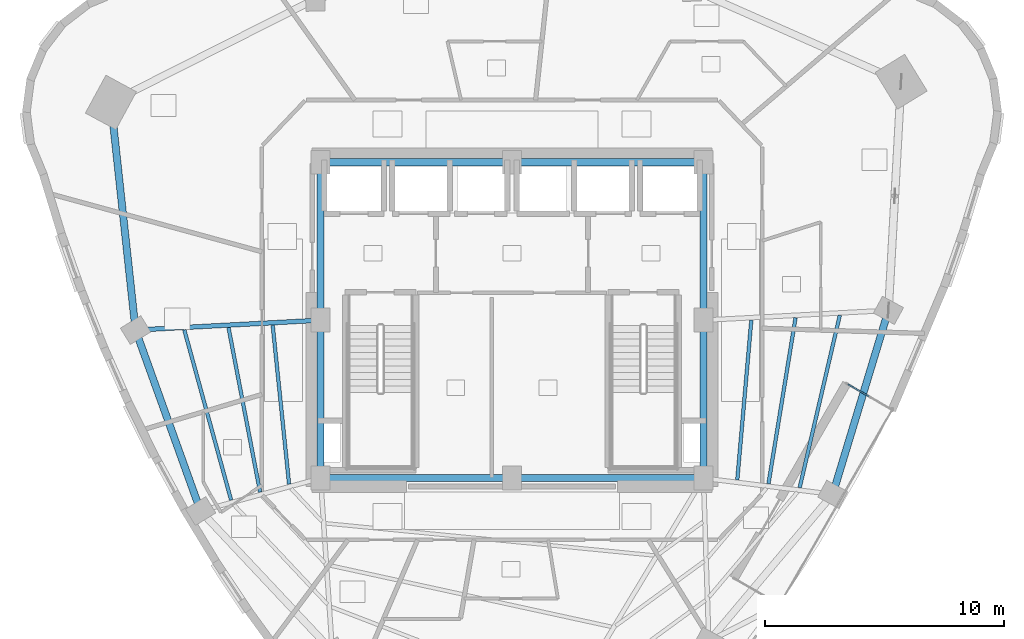
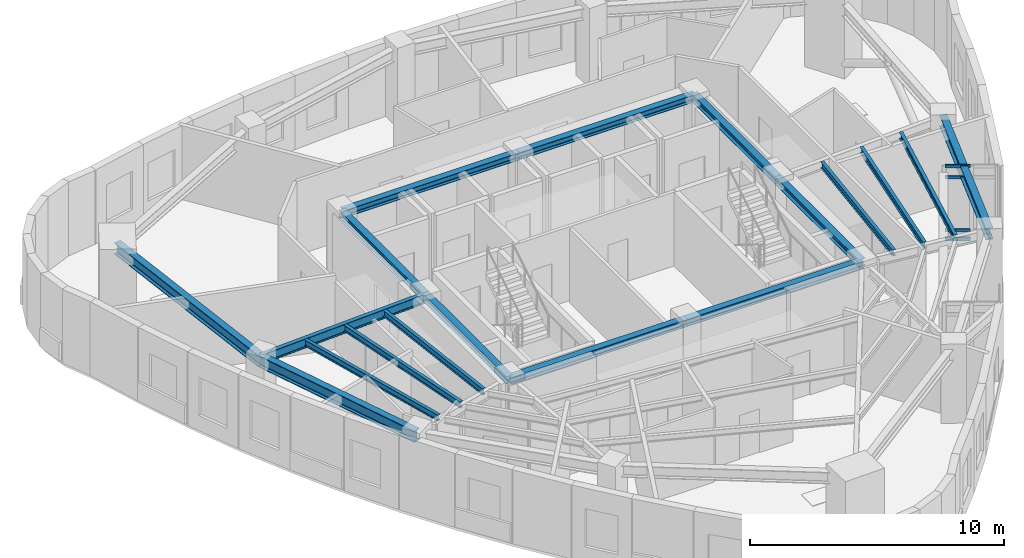
# One storey, part 3 of 12: 18 beams, 4 members, 1 element without a shape of its own.
"""IFC4 building model written with IfcOpenShell, lengths in metres."""

from ifc_helpers import new_model, si_unit, direction, frame, origin, origin_2d, place, context, subcontext, project, spatial, hollow_rectangle, i_section, extrude, material, layer, layer_set, material_profile, profile_set, type_object, element, aggregate, save


model = new_model("IFC4")

# Units and contexts
model_context = context("Model", 3, precision=1e-05, world=origin(), true_north=direction((0.0, 1.0)))
body_context = subcontext(model_context, "Body", "Model", "MODEL_VIEW")
ifc_project = project(units=[si_unit("LENGTHUNIT", "METRE"), si_unit("AREAUNIT", "SQUARE_METRE"), si_unit("VOLUMEUNIT", "CUBIC_METRE"), si_unit("PLANEANGLEUNIT", "RADIAN"), si_unit("MASSUNIT", "GRAM", prefix="KILO")], contexts=[model_context])

# Site, building, storey
site_placement = place(None, origin())
site = spatial("IfcSite", under=ifc_project, at=site_placement, CompositionType="ELEMENT")
building_placement = place(site_placement, origin())
building = spatial("IfcBuilding", under=site, at=building_placement, Name="Ndelora Gate Hotel", CompositionType="ELEMENT")
storey_placement = place(building_placement, frame((0.0, 0.0, 205.550048828125)))
storey = spatial("IfcBuildingStorey", under=building, at=storey_placement, Name="L51", CompositionType="ELEMENT", Elevation=205.550048828125)

# Beams
ifc_material_1 = material(Name="Steel S355", Category="steel")
ifc_material_profile_1 = material_profile(ifc_material_1, i_section(OverallWidth=0.300048828125, OverallDepth=0.35009765625, WebThickness=0.010009765625, FlangeThickness=0.017578125, FilletRadius=0.027099609375, at=origin_2d()), Name="HEA 360")
ifc_profile_set_1 = profile_set([ifc_material_profile_1], Name="Steel S355")
beam_type_1 = type_object("IfcBeamType", Name="BM-CORE-350", PredefinedType="BEAM", material=ifc_profile_set_1)
for number, where, z_axis, x_axis, name in (
    (1, (-8.0, 6.60009765625, 3.375), (1.0, 0.0, 0.0), (0.0, 1.0, 0.0), "L51 Core Tie Girder CC7-CC6"),
    (2, (0.0, 6.60009765625, 3.375), (1.0, 0.0, 0.0), (0.0, 1.0, 0.0), "L51 Core Tie Girder CC6-CC5"),
):
    element("IfcBeam", number, at=place(storey_placement, frame(where, z_axis=z_axis, x_axis=x_axis)), inside=storey, type_object=beam_type_1, Name=name, PredefinedType="BEAM", context=body_context, shape_type="SweptSolid", body=[
        extrude(i_section(OverallWidth=0.300048828125, OverallDepth=0.35009765625, WebThickness=0.010009765625, FlangeThickness=0.017578125, FilletRadius=0.027099609375, at=origin_2d()), origin(), (0.0, 0.0, 1.0), 8.0),
    ])
for number, where, z_axis, x_axis, name in (
    (3, (-8.0, -6.60009765625, 3.375), (0.0, 1.0, 0.0), (-1.0, 0.0, 0.0), "L51 Core Tie Girder CC1-CC8"),
    (4, (-8.0, 0.0, 3.375), (0.0, 1.0, 0.0), (-1.0, 0.0, 0.0), "L51 Core Tie Girder CC8-CC7"),
    (5, (8.0, -6.60009765625, 3.375), (0.0, 1.0, 0.0), (-1.0, 0.0, 0.0), "L51 Core Tie Girder CC3-CC4"),
    (6, (8.0, 0.0, 3.375), (0.0, 1.0, 0.0), (-1.0, 0.0, 0.0), "L51 Core Tie Girder CC4-CC5"),
):
    element("IfcBeam", number, at=place(storey_placement, frame(where, z_axis=z_axis, x_axis=x_axis)), inside=storey, type_object=beam_type_1, Name=name, PredefinedType="BEAM", context=body_context, shape_type="SweptSolid", body=[
        extrude(i_section(OverallWidth=0.300048828125, OverallDepth=0.35009765625, WebThickness=0.010009765625, FlangeThickness=0.017578125, FilletRadius=0.027099609375, at=origin_2d()), origin(), (0.0, 0.0, 1.0), 6.60009765625),
    ])
for number, where, z_axis, x_axis, name in (
    (7, (-8.0, -6.60009765625, 3.375), (1.0, 0.0, 0.0), (0.0, 1.0, 0.0), "L51 Core Tie Girder CC1-CC2"),
    (8, (0.0, -6.60009765625, 3.375), (1.0, 0.0, 0.0), (0.0, 1.0, 0.0), "L51 Core Tie Girder CC2-CC3"),
):
    element("IfcBeam", number, at=place(storey_placement, frame(where, z_axis=z_axis, x_axis=x_axis)), inside=storey, type_object=beam_type_1, Name=name, PredefinedType="BEAM", context=body_context, shape_type="SweptSolid", body=[
        extrude(i_section(OverallWidth=0.300048828125, OverallDepth=0.35009765625, WebThickness=0.010009765625, FlangeThickness=0.017578125, FilletRadius=0.027099609375, at=origin_2d()), origin(), (0.0, 0.0, 1.0), 8.0),
    ])
ifc_material_profile_2 = material_profile(ifc_material_1, i_section(OverallWidth=0.14990234375, OverallDepth=0.300048828125, WebThickness=0.007080078125, FlangeThickness=0.0107421875, FilletRadius=0.014892578125, at=origin_2d()), Name="IPE 300")
ifc_profile_set_2 = profile_set([ifc_material_profile_2], Name="Steel S355")
beam_type_2 = type_object("IfcBeamType", Name="BM-JST-300", PredefinedType="JOIST", material=ifc_profile_set_2)
beam_1_placement = place(storey_placement, frame((-9.9990234375, -0.21142578125, 3.39990234375), z_axis=(0.10260596827, -0.994722079415, 0.0), x_axis=(0.994722079415, 0.10260596827, 0.0)))
element("IfcBeam", 9, at=beam_1_placement, inside=storey, type_object=beam_type_2, Name="L51 Secondary Composite Floor Joist IN-2", PredefinedType="JOIST", context=body_context, shape_type="SweptSolid", body=[
    extrude(i_section(OverallWidth=0.14990234375, OverallDepth=0.300048828125, WebThickness=0.007080078125, FlangeThickness=0.0107421875, FilletRadius=0.014892578125, at=origin_2d()), origin(), (0.0, 0.0, 1.0), 6.676513671875),
])
beam_2_placement = place(storey_placement, frame((-11.84521484375, -0.30908203125, 3.39990234375), z_axis=(0.188470955684, -0.982078764083, 0.0), x_axis=(0.982078764083, 0.188470955684, 0.0)))
element("IfcBeam", 10, at=beam_2_placement, inside=storey, type_object=beam_type_2, Name="L51 Secondary Composite Floor Joist MID-2", PredefinedType="JOIST", context=body_context, shape_type="SweptSolid", body=[
    extrude(i_section(OverallWidth=0.14990234375, OverallDepth=0.300048828125, WebThickness=0.007080078125, FlangeThickness=0.0107421875, FilletRadius=0.014892578125, at=origin_2d()), origin(), (0.0, 0.0, 1.0), 7.000244140625),
])
beam_3_placement = place(storey_placement, frame((-13.6923828125, -0.406005859375, 3.39990234375), z_axis=(0.2652180483, -0.964188460238, 0.0), x_axis=(0.964188460238, 0.2652180483, 0.0)))
element("IfcBeam", 11, at=beam_3_placement, inside=storey, type_object=beam_type_2, Name="L51 Secondary Composite Floor Joist OUT-2", PredefinedType="JOIST", context=body_context, shape_type="SweptSolid", body=[
    extrude(i_section(OverallWidth=0.14990234375, OverallDepth=0.300048828125, WebThickness=0.007080078125, FlangeThickness=0.0107421875, FilletRadius=0.014892578125, at=origin_2d()), origin(), (0.0, 0.0, 1.0), 7.37353515625),
])
beam_4_placement = place(storey_placement, frame((9.413330078125, -6.671142578125, 3.39990234375), z_axis=(0.087643872384, 0.996151871771, 0.0), x_axis=(-0.996151871771, 0.087643872384, 0.0)))
element("IfcBeam", 12, at=beam_4_placement, inside=storey, type_object=beam_type_2, Name="L51 Secondary Composite Floor Joist IN-7", PredefinedType="JOIST", context=body_context, shape_type="SweptSolid", body=[
    extrude(i_section(OverallWidth=0.14990234375, OverallDepth=0.300048828125, WebThickness=0.007080078125, FlangeThickness=0.0107421875, FilletRadius=0.014892578125, at=origin_2d()), origin(), (0.0, 0.0, 1.0), 6.699462890625),
])
beam_5_placement = place(storey_placement, frame((10.717041015625, -6.834228515625, 3.39990234375), z_axis=(0.160939239626, 0.986964316046, 0.0), x_axis=(-0.986964316046, 0.160939239626, 0.0)))
element("IfcBeam", 13, at=beam_5_placement, inside=storey, type_object=beam_type_2, Name="L51 Secondary Composite Floor Joist MID-7", PredefinedType="JOIST", context=body_context, shape_type="SweptSolid", body=[
    extrude(i_section(OverallWidth=0.14990234375, OverallDepth=0.300048828125, WebThickness=0.007080078125, FlangeThickness=0.0107421875, FilletRadius=0.014892578125, at=origin_2d()), origin(), (0.0, 0.0, 1.0), 7.028076171875),
])
beam_6_placement = place(storey_placement, frame((12.02001953125, -6.997802734375, 3.39990234375), z_axis=(0.22674518397, 0.973954116756, 0.0), x_axis=(-0.973954116756, 0.22674518397, 0.0)))
element("IfcBeam", 14, at=beam_6_placement, inside=storey, type_object=beam_type_2, Name="L51 Secondary Composite Floor Joist OUT-7", PredefinedType="JOIST", context=body_context, shape_type="SweptSolid", body=[
    extrude(i_section(OverallWidth=0.14990234375, OverallDepth=0.300048828125, WebThickness=0.007080078125, FlangeThickness=0.0107421875, FilletRadius=0.014892578125, at=origin_2d()), origin(), (0.0, 0.0, 1.0), 7.392822265625),
])
ifc_material_profile_3 = material_profile(ifc_material_1, i_section(OverallWidth=0.18994140625, OverallDepth=0.449951171875, WebThickness=0.009521484375, FlangeThickness=0.0146484375, FilletRadius=0.02099609375, at=origin_2d()), Name="IPE 450")
ifc_profile_set_3 = profile_set([ifc_material_profile_3], Name="Steel S355")
beam_type_3 = type_object("IfcBeamType", Name="BM-RAD-450", PredefinedType="BEAM", material=ifc_profile_set_3)
beam_7_placement = place(storey_placement, frame((-8.0, 0.0, 3.324951171875), z_axis=(-0.998583554121, -0.053206065814, 0.0), x_axis=(0.053206065814, -0.998583554121, 0.0)))
element("IfcBeam", 15, at=beam_7_placement, inside=storey, type_object=beam_type_3, Name="L51 Radial Floor Girder 2", PredefinedType="BEAM", context=body_context, shape_type="SweptSolid", body=[
    extrude(i_section(OverallWidth=0.18994140625, OverallDepth=0.449951171875, WebThickness=0.009521484375, FlangeThickness=0.0146484375, FilletRadius=0.02099609375, at=origin_2d()), origin(), (0.0, 0.0, 1.0), 7.740966796875),
])
ifc_material_profile_4 = material_profile(ifc_material_1, i_section(OverallWidth=0.300048828125, OverallDepth=0.550048828125, WebThickness=0.014892578125, FlangeThickness=0.029052734375, FilletRadius=0.027099609375, at=origin_2d()), Name="HEB 550")
ifc_profile_set_4 = profile_set([ifc_material_profile_4], Name="Steel S355")
beam_type_4 = type_object("IfcBeamType", Name="BM-RING-550", PredefinedType="SPANDREL", material=ifc_profile_set_4)
beam_8_placement = place(storey_placement, frame((-16.759521484375, 9.099609375, 3.27490234375), z_axis=(0.107613416645, -0.994192814578, 0.0), x_axis=(0.994192814578, 0.107613416645, 0.0)))
element("IfcBeam", 16, at=beam_8_placement, inside=storey, type_object=beam_type_4, Name="L51 Perimeter Spandrel Girder 1", PredefinedType="SPANDREL", context=body_context, shape_type="SweptSolid", body=[
    extrude(i_section(OverallWidth=0.300048828125, OverallDepth=0.550048828125, WebThickness=0.014892578125, FlangeThickness=0.029052734375, FilletRadius=0.027099609375, at=origin_2d()), origin(), (0.0, 0.0, 1.0), 9.567138671875),
])
beam_9_placement = place(storey_placement, frame((-15.72998046875, -0.411865234375, 3.27490234375), z_axis=(0.338244972382, -0.941058095262, 0.0), x_axis=(0.941058095262, 0.338244972382, 0.0)))
element("IfcBeam", 17, at=beam_9_placement, inside=storey, type_object=beam_type_4, Name="L51 Perimeter Spandrel Girder 2", PredefinedType="SPANDREL", context=body_context, shape_type="SweptSolid", body=[
    extrude(i_section(OverallWidth=0.300048828125, OverallDepth=0.550048828125, WebThickness=0.014892578125, FlangeThickness=0.029052734375, FilletRadius=0.027099609375, at=origin_2d()), origin(), (0.0, 0.0, 1.0), 8.03564453125),
])
beam_10_placement = place(storey_placement, frame((13.400390625, -7.275634765625, 3.27490234375), z_axis=(0.290012456561, 0.957022870698, 0.0), x_axis=(-0.957022870698, 0.290012456561, 0.0)))
element("IfcBeam", 18, at=beam_10_placement, inside=storey, type_object=beam_type_4, Name="L51 Perimeter Spandrel Girder 7", PredefinedType="SPANDREL", context=body_context, shape_type="SweptSolid", body=[
    extrude(i_section(OverallWidth=0.300048828125, OverallDepth=0.550048828125, WebThickness=0.014892578125, FlangeThickness=0.029052734375, FilletRadius=0.027099609375, at=origin_2d()), origin(), (0.0, 0.0, 1.0), 8.03271484375),
])

# Curtain wall, members
ifc_material_2 = material(Name="Bronze Anodised Unitised Aluminium and Low-E Glass", Category="aluminium")
ifc_layer = layer(ifc_material_2, 0.199951171875)
ifc_layer_set = layer_set([ifc_layer], Name="Bronze Anodised Unitised Aluminium and Low-E Glass")
curtain_wall_type = type_object("IfcCurtainWallType", Name="CW-SYS-3", PredefinedType="NOTDEFINED", material=ifc_layer_set)
curtain_wall_placement = place(storey_placement, origin())
curtain_wall = element("IfcCurtainWall", 19, at=curtain_wall_placement, inside=storey, type_object=curtain_wall_type, Name="L51 Sky-Garden Loggia Side Curtain Wall CW3-2", PredefinedType="NOTDEFINED")
ifc_material_3 = material(Name="Bronze Anodised Aluminium 6063-T6", Category="aluminium")
ifc_material_profile_5 = material_profile(ifc_material_3, hollow_rectangle(XDim=0.06494140625, YDim=0.159912109375, WallThickness=0.00390625, InnerFilletRadius=0.00390625, OuterFilletRadius=0.008056640625, at=origin_2d()), Name="ALU 160x65x4")
ifc_profile_set_5 = profile_set([ifc_material_profile_5], Name="Bronze Anodised Aluminium 6063-T6")
member_type = type_object("IfcMemberType", Name="MB-CW-TRN150", PredefinedType="USERDEFINED", material=ifc_profile_set_5)
member_1_placement = place(storey_placement, frame((14.910400390625, -3.181396484375, 0.032470703125), z_axis=(-0.866013277291, 0.500021003115, 0.0), x_axis=(-0.500021003115, -0.866013277291, 0.0)))
member_1 = element("IfcMember", 20, at=member_1_placement, type_object=member_type, Name="CW3 transom 2.1", ObjectType="TRANSOM", PredefinedType="USERDEFINED", context=body_context, shape_type="SweptSolid", body=[
    extrude(hollow_rectangle(XDim=0.06494140625, YDim=0.159912109375, WallThickness=0.00390625, InnerFilletRadius=0.00390625, OuterFilletRadius=0.008056640625, at=origin_2d()), origin(), (0.0, 0.0, 1.0), 1.0146484375),
])
member_2_placement = place(storey_placement, frame((14.910400390625, -3.181396484375, 0.449951171875), z_axis=(-0.866013277291, 0.500021003115, 0.0), x_axis=(-0.500021003115, -0.866013277291, 0.0)))
member_2 = element("IfcMember", 21, at=member_2_placement, type_object=member_type, Name="CW3 transom 2.2", ObjectType="TRANSOM", PredefinedType="USERDEFINED", context=body_context, shape_type="SweptSolid", body=[
    extrude(hollow_rectangle(XDim=0.06494140625, YDim=0.159912109375, WallThickness=0.00390625, InnerFilletRadius=0.00390625, OuterFilletRadius=0.008056640625, at=origin_2d()), origin(), (0.0, 0.0, 1.0), 1.0146484375),
])
member_3_placement = place(storey_placement, frame((14.910400390625, -3.181396484375, 3.0), z_axis=(-0.866013277291, 0.500021003115, 0.0), x_axis=(-0.500021003115, -0.866013277291, 0.0)))
member_3 = element("IfcMember", 22, at=member_3_placement, type_object=member_type, Name="CW3 transom 2.3", ObjectType="TRANSOM", PredefinedType="USERDEFINED", context=body_context, shape_type="SweptSolid", body=[
    extrude(hollow_rectangle(XDim=0.06494140625, YDim=0.159912109375, WallThickness=0.00390625, InnerFilletRadius=0.00390625, OuterFilletRadius=0.008056640625, at=origin_2d()), origin(), (0.0, 0.0, 1.0), 1.0146484375),
])
member_4_placement = place(storey_placement, frame((14.910400390625, -3.181396484375, 3.517333984375), z_axis=(-0.866013277291, 0.500021003115, 0.0), x_axis=(-0.500021003115, -0.866013277291, 0.0)))
member_4 = element("IfcMember", 23, at=member_4_placement, type_object=member_type, Name="CW3 transom 2.4", ObjectType="TRANSOM", PredefinedType="USERDEFINED", context=body_context, shape_type="SweptSolid", body=[
    extrude(hollow_rectangle(XDim=0.06494140625, YDim=0.159912109375, WallThickness=0.00390625, InnerFilletRadius=0.00390625, OuterFilletRadius=0.008056640625, at=origin_2d()), origin(), (0.0, 0.0, 1.0), 1.0146484375),
])
aggregate(curtain_wall, [member_1, member_2, member_3, member_4])

save(model, "model.ifc")
